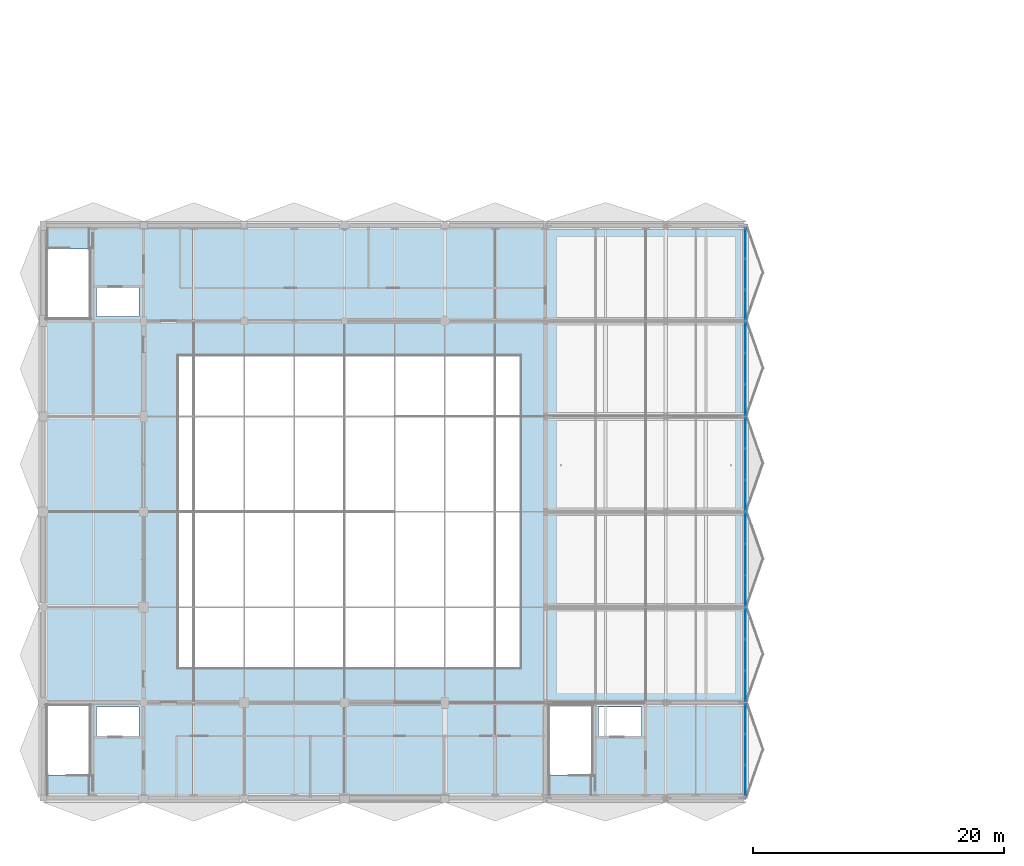
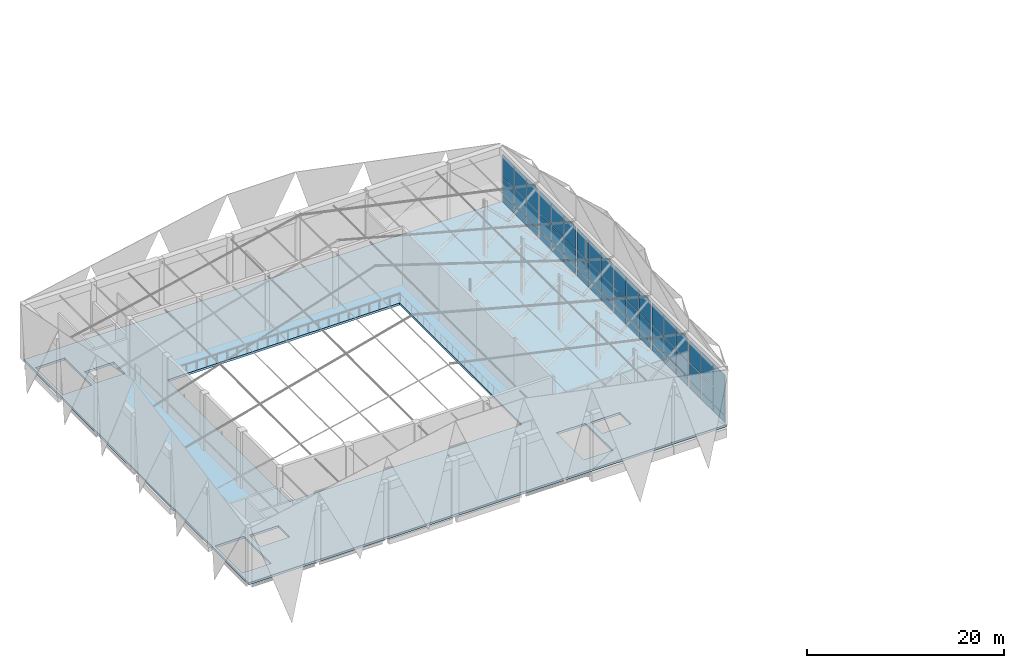
# One storey, part 24 of 46: 54 plates, 1 slab, 6 elements without a shape of their own.
"""IFC4 building model written with IfcOpenShell, lengths in metres."""

from ifc_helpers import new_model, si_unit, direction, frame, origin, origin_2d, place, context, subcontext, project, spatial, polyline, rectangle, outline, extrude, material, layer, layer_set, type_object, element, aggregate, save


model = new_model("IFC4")

# Units and contexts
model_context = context("Model", 3, precision=1e-05, world=origin(), true_north=direction((0.0, 1.0)))
body_context = subcontext(model_context, "Body", "Model", "MODEL_VIEW")
ifc_project = project(units=[si_unit("LENGTHUNIT", "METRE"), si_unit("AREAUNIT", "SQUARE_METRE"), si_unit("VOLUMEUNIT", "CUBIC_METRE"), si_unit("PLANEANGLEUNIT", "RADIAN"), si_unit("MASSUNIT", "GRAM", prefix="KILO")], contexts=[model_context])

# Site, building, storey
site_placement = place(None, origin())
site = spatial("IfcSite", under=ifc_project, at=site_placement, CompositionType="ELEMENT")
building_placement = place(site_placement, origin())
building = spatial("IfcBuilding", under=site, at=building_placement, Name="Khelvaren Railside Concert Hall", CompositionType="ELEMENT")
storey_placement = place(building_placement, frame((0.0, 0.0, 19.800048828125)))
storey = spatial("IfcBuildingStorey", under=building, at=storey_placement, Name="L04", CompositionType="ELEMENT", Elevation=19.800048828125)

# Curtain wall, plates
ifc_material_1 = material(Name="Double-glazed clear foyer glass", Category="glass")
curtain_wall_type_1 = type_object("IfcCurtainWallType", Name="CW68", PredefinedType="USERDEFINED", material=ifc_material_1)
curtain_wall_1_placement = place(storey_placement, origin())
curtain_wall_1 = element("IfcCurtainWall", 1, at=curtain_wall_1_placement, inside=storey, type_object=curtain_wall_type_1, Name="Unitised Curtain Wall CW-V1-L04-E-30", ObjectType="UNITISED CURTAIN WALL", PredefinedType="USERDEFINED")
ifc_layer_1 = layer(ifc_material_1, 0.0439453125)
ifc_layer_set_1 = layer_set([ifc_layer_1], Name="Double-glazed clear foyer glass")
plate_type_1 = type_object("IfcPlateType", Name="CWP33", PredefinedType="CURTAIN_PANEL", material=ifc_layer_set_1)
plate_1_placement = place(storey_placement, frame((55.93994140625, 36.68798828125, 0.06494140625), z_axis=(0.0, 0.0, 1.0), x_axis=(0.0, -1.0, 0.0)))
plate_1 = element("IfcPlate", 2, at=plate_1_placement, type_object=plate_type_1, Name="CW68 panel 1.1", PredefinedType="CURTAIN_PANEL", context=body_context, shape_type="SweptSolid", body=[
    extrude(rectangle(XDim=2.394287109375, YDim=0.0439453125, at=origin_2d()), origin(), (0.0, 0.0, 1.0), 0.8525390625),
])
plate_2_placement = place(storey_placement, frame((55.93994140625, 36.68798828125, 0.982421875), z_axis=(0.0, 0.0, 1.0), x_axis=(0.0, -1.0, 0.0)))
plate_2 = element("IfcPlate", 3, at=plate_2_placement, type_object=plate_type_1, Name="CW68 panel 1.2", PredefinedType="CURTAIN_PANEL", context=body_context, shape_type="SweptSolid", body=[
    extrude(rectangle(XDim=2.394287109375, YDim=0.0439453125, at=origin_2d()), origin(), (0.0, 0.0, 1.0), 2.131103515625),
])
plate_3_placement = place(storey_placement, frame((55.93994140625, 36.68798828125, 3.1787109375), z_axis=(0.0, 0.0, 1.0), x_axis=(0.0, -1.0, 0.0)))
plate_3 = element("IfcPlate", 4, at=plate_3_placement, type_object=plate_type_1, Name="CW68 panel 1.3", PredefinedType="CURTAIN_PANEL", context=body_context, shape_type="SweptSolid", body=[
    extrude(rectangle(XDim=2.394287109375, YDim=0.0439453125, at=origin_2d()), origin(), (0.0, 0.0, 1.0), 2.806396484375),
])
plate_4_placement = place(storey_placement, frame((55.93994140625, 34.199951171875, 0.06494140625), z_axis=(0.0, 0.0, 1.0), x_axis=(0.0, -1.0, 0.0)))
plate_4 = element("IfcPlate", 5, at=plate_4_placement, type_object=plate_type_1, Name="CW68 panel 2.1", PredefinedType="CURTAIN_PANEL", context=body_context, shape_type="SweptSolid", body=[
    extrude(rectangle(XDim=2.431640625, YDim=0.0439453125, at=origin_2d()), origin(), (0.0, 0.0, 1.0), 0.8525390625),
])
plate_5_placement = place(storey_placement, frame((55.93994140625, 34.199951171875, 0.982421875), z_axis=(0.0, 0.0, 1.0), x_axis=(0.0, -1.0, 0.0)))
plate_5 = element("IfcPlate", 6, at=plate_5_placement, type_object=plate_type_1, Name="CW68 panel 2.2", PredefinedType="CURTAIN_PANEL", context=body_context, shape_type="SweptSolid", body=[
    extrude(rectangle(XDim=2.431640625, YDim=0.0439453125, at=origin_2d()), origin(), (0.0, 0.0, 1.0), 2.131103515625),
])
plate_6_placement = place(storey_placement, frame((55.93994140625, 34.199951171875, 3.1787109375), z_axis=(0.0, 0.0, 1.0), x_axis=(0.0, -1.0, 0.0)))
plate_6 = element("IfcPlate", 7, at=plate_6_placement, type_object=plate_type_1, Name="CW68 panel 2.3", PredefinedType="CURTAIN_PANEL", context=body_context, shape_type="SweptSolid", body=[
    extrude(rectangle(XDim=2.431640625, YDim=0.0439453125, at=origin_2d()), origin(), (0.0, 0.0, 1.0), 2.806396484375),
])
plate_7_placement = place(storey_placement, frame((55.93994140625, 31.712158203125, 0.06494140625), z_axis=(0.0, 0.0, 1.0), x_axis=(0.0, -1.0, 0.0)))
plate_7 = element("IfcPlate", 8, at=plate_7_placement, type_object=plate_type_1, Name="CW68 panel 3.1", PredefinedType="CURTAIN_PANEL", context=body_context, shape_type="SweptSolid", body=[
    extrude(rectangle(XDim=2.394287109375, YDim=0.0439453125, at=origin_2d()), origin(), (0.0, 0.0, 1.0), 0.8525390625),
])
plate_8_placement = place(storey_placement, frame((55.93994140625, 31.712158203125, 0.982421875), z_axis=(0.0, 0.0, 1.0), x_axis=(0.0, -1.0, 0.0)))
plate_8 = element("IfcPlate", 9, at=plate_8_placement, type_object=plate_type_1, Name="CW68 panel 3.2", PredefinedType="CURTAIN_PANEL", context=body_context, shape_type="SweptSolid", body=[
    extrude(rectangle(XDim=2.394287109375, YDim=0.0439453125, at=origin_2d()), origin(), (0.0, 0.0, 1.0), 2.131103515625),
])
plate_9_placement = place(storey_placement, frame((55.93994140625, 31.712158203125, 3.1787109375), z_axis=(0.0, 0.0, 1.0), x_axis=(0.0, -1.0, 0.0)))
plate_9 = element("IfcPlate", 10, at=plate_9_placement, type_object=plate_type_1, Name="CW68 panel 3.3", PredefinedType="CURTAIN_PANEL", context=body_context, shape_type="SweptSolid", body=[
    extrude(rectangle(XDim=2.394287109375, YDim=0.0439453125, at=origin_2d()), origin(), (0.0, 0.0, 1.0), 2.806396484375),
])
aggregate(curtain_wall_1, [plate_1, plate_2, plate_3, plate_4, plate_5, plate_6, plate_7, plate_8, plate_9])

curtain_wall_type_2 = type_object("IfcCurtainWallType", Name="CW70", PredefinedType="USERDEFINED", material=ifc_material_1)
curtain_wall_2_placement = place(storey_placement, origin())
curtain_wall_2 = element("IfcCurtainWall", 11, at=curtain_wall_2_placement, inside=storey, type_object=curtain_wall_type_2, Name="Unitised Curtain Wall CW-V1-L04-E-38", ObjectType="UNITISED CURTAIN WALL", PredefinedType="USERDEFINED")
plate_10_placement = place(storey_placement, frame((55.93994140625, 44.18798828125, 0.06494140625), z_axis=(0.0, 0.0, 1.0), x_axis=(0.0, -1.0, 0.0)))
plate_10 = element("IfcPlate", 12, at=plate_10_placement, type_object=plate_type_1, Name="CW70 panel 1.1", PredefinedType="CURTAIN_PANEL", context=body_context, shape_type="SweptSolid", body=[
    extrude(rectangle(XDim=2.354248046875, YDim=0.0439453125, at=origin_2d()), origin(), (0.0, 0.0, 1.0), 0.8525390625),
])
plate_11_placement = place(storey_placement, frame((55.93994140625, 44.18798828125, 0.982421875), z_axis=(0.0, 0.0, 1.0), x_axis=(0.0, -1.0, 0.0)))
plate_11 = element("IfcPlate", 13, at=plate_11_placement, type_object=plate_type_1, Name="CW70 panel 1.2", PredefinedType="CURTAIN_PANEL", context=body_context, shape_type="SweptSolid", body=[
    extrude(rectangle(XDim=2.354248046875, YDim=0.0439453125, at=origin_2d()), origin(), (0.0, 0.0, 1.0), 2.131103515625),
])
plate_12_placement = place(storey_placement, frame((55.93994140625, 44.18798828125, 3.1787109375), z_axis=(0.0, 0.0, 1.0), x_axis=(0.0, -1.0, 0.0)))
plate_12 = element("IfcPlate", 14, at=plate_12_placement, type_object=plate_type_1, Name="CW70 panel 1.3", PredefinedType="CURTAIN_PANEL", context=body_context, shape_type="SweptSolid", body=[
    extrude(rectangle(XDim=2.354248046875, YDim=0.0439453125, at=origin_2d()), origin(), (0.0, 0.0, 1.0), 2.806396484375),
])
plate_13_placement = place(storey_placement, frame((55.93994140625, 41.739990234375, 0.06494140625), z_axis=(0.0, 0.0, 1.0), x_axis=(0.0, -1.0, 0.0)))
plate_13 = element("IfcPlate", 15, at=plate_13_placement, type_object=plate_type_1, Name="CW70 panel 2.1", PredefinedType="CURTAIN_PANEL", context=body_context, shape_type="SweptSolid", body=[
    extrude(rectangle(XDim=2.3916015625, YDim=0.0439453125, at=origin_2d()), origin(), (0.0, 0.0, 1.0), 0.8525390625),
])
plate_14_placement = place(storey_placement, frame((55.93994140625, 41.739990234375, 0.982421875), z_axis=(0.0, 0.0, 1.0), x_axis=(0.0, -1.0, 0.0)))
plate_14 = element("IfcPlate", 16, at=plate_14_placement, type_object=plate_type_1, Name="CW70 panel 2.2", PredefinedType="CURTAIN_PANEL", context=body_context, shape_type="SweptSolid", body=[
    extrude(rectangle(XDim=2.3916015625, YDim=0.0439453125, at=origin_2d()), origin(), (0.0, 0.0, 1.0), 2.131103515625),
])
plate_15_placement = place(storey_placement, frame((55.93994140625, 41.739990234375, 3.1787109375), z_axis=(0.0, 0.0, 1.0), x_axis=(0.0, -1.0, 0.0)))
plate_15 = element("IfcPlate", 17, at=plate_15_placement, type_object=plate_type_1, Name="CW70 panel 2.3", PredefinedType="CURTAIN_PANEL", context=body_context, shape_type="SweptSolid", body=[
    extrude(rectangle(XDim=2.3916015625, YDim=0.0439453125, at=origin_2d()), origin(), (0.0, 0.0, 1.0), 2.806396484375),
])
plate_16_placement = place(storey_placement, frame((55.93994140625, 39.2919921875, 0.06494140625), z_axis=(0.0, 0.0, 1.0), x_axis=(0.0, -1.0, 0.0)))
plate_16 = element("IfcPlate", 18, at=plate_16_placement, type_object=plate_type_1, Name="CW70 panel 3.1", PredefinedType="CURTAIN_PANEL", context=body_context, shape_type="SweptSolid", body=[
    extrude(rectangle(XDim=2.354248046875, YDim=0.0439453125, at=origin_2d()), origin(), (0.0, 0.0, 1.0), 0.8525390625),
])
plate_17_placement = place(storey_placement, frame((55.93994140625, 39.2919921875, 0.982421875), z_axis=(0.0, 0.0, 1.0), x_axis=(0.0, -1.0, 0.0)))
plate_17 = element("IfcPlate", 19, at=plate_17_placement, type_object=plate_type_1, Name="CW70 panel 3.2", PredefinedType="CURTAIN_PANEL", context=body_context, shape_type="SweptSolid", body=[
    extrude(rectangle(XDim=2.354248046875, YDim=0.0439453125, at=origin_2d()), origin(), (0.0, 0.0, 1.0), 2.131103515625),
])
plate_18_placement = place(storey_placement, frame((55.93994140625, 39.2919921875, 3.1787109375), z_axis=(0.0, 0.0, 1.0), x_axis=(0.0, -1.0, 0.0)))
plate_18 = element("IfcPlate", 20, at=plate_18_placement, type_object=plate_type_1, Name="CW70 panel 3.3", PredefinedType="CURTAIN_PANEL", context=body_context, shape_type="SweptSolid", body=[
    extrude(rectangle(XDim=2.354248046875, YDim=0.0439453125, at=origin_2d()), origin(), (0.0, 0.0, 1.0), 2.806396484375),
])
aggregate(curtain_wall_2, [plate_10, plate_11, plate_12, plate_13, plate_14, plate_15, plate_16, plate_17, plate_18])

ifc_material_2 = material(Name="Triple-glazed solar-control glass", Category="glass")
curtain_wall_type_3 = type_object("IfcCurtainWallType", Name="CW80", PredefinedType="USERDEFINED", material=ifc_material_2)
curtain_wall_3_placement = place(storey_placement, origin())
curtain_wall_3 = element("IfcCurtainWall", 21, at=curtain_wall_3_placement, inside=storey, type_object=curtain_wall_type_3, Name="Unitised Curtain Wall CW-V1-L04-E-0", ObjectType="UNITISED CURTAIN WALL", PredefinedType="USERDEFINED")
ifc_layer_2 = layer(ifc_material_2, 0.035888671875)
ifc_layer_set_2 = layer_set([ifc_layer_2], Name="Triple-glazed solar-control glass")
plate_type_2 = type_object("IfcPlateType", Name="CWP53", PredefinedType="CURTAIN_PANEL", material=ifc_layer_set_2)
plate_19_placement = place(storey_placement, frame((55.93994140625, 6.307861328125, 0.074951171875), z_axis=(0.0, 0.0, 1.0), x_axis=(0.0, -1.0, 0.0)))
plate_19 = element("IfcPlate", 22, at=plate_19_placement, type_object=plate_type_2, Name="CW80 panel 1.1", PredefinedType="CURTAIN_PANEL", context=body_context, shape_type="SweptSolid", body=[
    extrude(rectangle(XDim=2.354248046875, YDim=0.035888671875, at=origin_2d()), origin(), (0.0, 0.0, 1.0), 0.83740234375),
])
plate_20_placement = place(storey_placement, frame((55.93994140625, 6.307861328125, 0.9873046875), z_axis=(0.0, 0.0, 1.0), x_axis=(0.0, -1.0, 0.0)))
plate_20 = element("IfcPlate", 23, at=plate_20_placement, type_object=plate_type_2, Name="CW80 panel 1.2", PredefinedType="CURTAIN_PANEL", context=body_context, shape_type="SweptSolid", body=[
    extrude(rectangle(XDim=2.354248046875, YDim=0.035888671875, at=origin_2d()), origin(), (0.0, 0.0, 1.0), 2.12109375),
])
plate_21_placement = place(storey_placement, frame((55.93994140625, 6.307861328125, 3.183349609375), z_axis=(0.0, 0.0, 1.0), x_axis=(0.0, -1.0, 0.0)))
plate_21 = element("IfcPlate", 24, at=plate_21_placement, type_object=plate_type_2, Name="CW80 panel 1.3", PredefinedType="CURTAIN_PANEL", context=body_context, shape_type="SweptSolid", body=[
    extrude(rectangle(XDim=2.354248046875, YDim=0.035888671875, at=origin_2d()), origin(), (0.0, 0.0, 1.0), 2.79150390625),
])
plate_22_placement = place(storey_placement, frame((55.93994140625, 3.860107421875, 0.074951171875), z_axis=(0.0, 0.0, 1.0), x_axis=(0.0, -1.0, 0.0)))
plate_22 = element("IfcPlate", 25, at=plate_22_placement, type_object=plate_type_2, Name="CW80 panel 2.1", PredefinedType="CURTAIN_PANEL", context=body_context, shape_type="SweptSolid", body=[
    extrude(rectangle(XDim=2.3916015625, YDim=0.035888671875, at=origin_2d()), origin(), (0.0, 0.0, 1.0), 0.83740234375),
])
plate_23_placement = place(storey_placement, frame((55.93994140625, 3.860107421875, 0.9873046875), z_axis=(0.0, 0.0, 1.0), x_axis=(0.0, -1.0, 0.0)))
plate_23 = element("IfcPlate", 26, at=plate_23_placement, type_object=plate_type_2, Name="CW80 panel 2.2", PredefinedType="CURTAIN_PANEL", context=body_context, shape_type="SweptSolid", body=[
    extrude(rectangle(XDim=2.3916015625, YDim=0.035888671875, at=origin_2d()), origin(), (0.0, 0.0, 1.0), 2.12109375),
])
plate_24_placement = place(storey_placement, frame((55.93994140625, 3.860107421875, 3.183349609375), z_axis=(0.0, 0.0, 1.0), x_axis=(0.0, -1.0, 0.0)))
plate_24 = element("IfcPlate", 27, at=plate_24_placement, type_object=plate_type_2, Name="CW80 panel 2.3", PredefinedType="CURTAIN_PANEL", context=body_context, shape_type="SweptSolid", body=[
    extrude(rectangle(XDim=2.3916015625, YDim=0.035888671875, at=origin_2d()), origin(), (0.0, 0.0, 1.0), 2.79150390625),
])
plate_25_placement = place(storey_placement, frame((55.93994140625, 1.412109375, 0.074951171875), z_axis=(0.0, 0.0, 1.0), x_axis=(0.0, -1.0, 0.0)))
plate_25 = element("IfcPlate", 28, at=plate_25_placement, type_object=plate_type_2, Name="CW80 panel 3.1", PredefinedType="CURTAIN_PANEL", context=body_context, shape_type="SweptSolid", body=[
    extrude(rectangle(XDim=2.354248046875, YDim=0.035888671875, at=origin_2d()), origin(), (0.0, 0.0, 1.0), 0.83740234375),
])
plate_26_placement = place(storey_placement, frame((55.93994140625, 1.412109375, 0.9873046875), z_axis=(0.0, 0.0, 1.0), x_axis=(0.0, -1.0, 0.0)))
plate_26 = element("IfcPlate", 29, at=plate_26_placement, type_object=plate_type_2, Name="CW80 panel 3.2", PredefinedType="CURTAIN_PANEL", context=body_context, shape_type="SweptSolid", body=[
    extrude(rectangle(XDim=2.354248046875, YDim=0.035888671875, at=origin_2d()), origin(), (0.0, 0.0, 1.0), 2.12109375),
])
plate_27_placement = place(storey_placement, frame((55.93994140625, 1.412109375, 3.183349609375), z_axis=(0.0, 0.0, 1.0), x_axis=(0.0, -1.0, 0.0)))
plate_27 = element("IfcPlate", 30, at=plate_27_placement, type_object=plate_type_2, Name="CW80 panel 3.3", PredefinedType="CURTAIN_PANEL", context=body_context, shape_type="SweptSolid", body=[
    extrude(rectangle(XDim=2.354248046875, YDim=0.035888671875, at=origin_2d()), origin(), (0.0, 0.0, 1.0), 2.79150390625),
])
aggregate(curtain_wall_3, [plate_19, plate_20, plate_21, plate_22, plate_23, plate_24, plate_25, plate_26, plate_27])

curtain_wall_type_4 = type_object("IfcCurtainWallType", Name="CW41", PredefinedType="USERDEFINED", material=ifc_material_2)
curtain_wall_4_placement = place(storey_placement, origin())
curtain_wall_4 = element("IfcCurtainWall", 31, at=curtain_wall_4_placement, inside=storey, type_object=curtain_wall_type_4, Name="Unitised Curtain Wall CW-V1-L04-E-8", ObjectType="UNITISED CURTAIN WALL", PredefinedType="USERDEFINED")
plate_28_placement = place(storey_placement, frame((55.93994140625, 13.887939453125, 0.074951171875), z_axis=(0.0, 0.0, 1.0), x_axis=(0.0, -1.0, 0.0)))
plate_28 = element("IfcPlate", 32, at=plate_28_placement, type_object=plate_type_2, Name="CW41 panel 1.1", PredefinedType="CURTAIN_PANEL", context=body_context, shape_type="SweptSolid", body=[
    extrude(rectangle(XDim=2.394287109375, YDim=0.035888671875, at=origin_2d()), origin(), (0.0, 0.0, 1.0), 0.83740234375),
])
plate_29_placement = place(storey_placement, frame((55.93994140625, 13.887939453125, 0.9873046875), z_axis=(0.0, 0.0, 1.0), x_axis=(0.0, -1.0, 0.0)))
plate_29 = element("IfcPlate", 33, at=plate_29_placement, type_object=plate_type_2, Name="CW41 panel 1.2", PredefinedType="CURTAIN_PANEL", context=body_context, shape_type="SweptSolid", body=[
    extrude(rectangle(XDim=2.394287109375, YDim=0.035888671875, at=origin_2d()), origin(), (0.0, 0.0, 1.0), 2.12109375),
])
plate_30_placement = place(storey_placement, frame((55.93994140625, 13.887939453125, 3.183349609375), z_axis=(0.0, 0.0, 1.0), x_axis=(0.0, -1.0, 0.0)))
plate_30 = element("IfcPlate", 34, at=plate_30_placement, type_object=plate_type_2, Name="CW41 panel 1.3", PredefinedType="CURTAIN_PANEL", context=body_context, shape_type="SweptSolid", body=[
    extrude(rectangle(XDim=2.394287109375, YDim=0.035888671875, at=origin_2d()), origin(), (0.0, 0.0, 1.0), 2.79150390625),
])
plate_31_placement = place(storey_placement, frame((55.93994140625, 11.39990234375, 0.074951171875), z_axis=(0.0, 0.0, 1.0), x_axis=(0.0, -1.0, 0.0)))
plate_31 = element("IfcPlate", 35, at=plate_31_placement, type_object=plate_type_2, Name="CW41 panel 2.1", PredefinedType="CURTAIN_PANEL", context=body_context, shape_type="SweptSolid", body=[
    extrude(rectangle(XDim=2.431640625, YDim=0.035888671875, at=origin_2d()), origin(), (0.0, 0.0, 1.0), 0.83740234375),
])
plate_32_placement = place(storey_placement, frame((55.93994140625, 11.39990234375, 0.9873046875), z_axis=(0.0, 0.0, 1.0), x_axis=(0.0, -1.0, 0.0)))
plate_32 = element("IfcPlate", 36, at=plate_32_placement, type_object=plate_type_2, Name="CW41 panel 2.2", PredefinedType="CURTAIN_PANEL", context=body_context, shape_type="SweptSolid", body=[
    extrude(rectangle(XDim=2.431640625, YDim=0.035888671875, at=origin_2d()), origin(), (0.0, 0.0, 1.0), 2.12109375),
])
plate_33_placement = place(storey_placement, frame((55.93994140625, 11.39990234375, 3.183349609375), z_axis=(0.0, 0.0, 1.0), x_axis=(0.0, -1.0, 0.0)))
plate_33 = element("IfcPlate", 37, at=plate_33_placement, type_object=plate_type_2, Name="CW41 panel 2.3", PredefinedType="CURTAIN_PANEL", context=body_context, shape_type="SweptSolid", body=[
    extrude(rectangle(XDim=2.431640625, YDim=0.035888671875, at=origin_2d()), origin(), (0.0, 0.0, 1.0), 2.79150390625),
])
plate_34_placement = place(storey_placement, frame((55.93994140625, 8.912109375, 0.074951171875), z_axis=(0.0, 0.0, 1.0), x_axis=(0.0, -1.0, 0.0)))
plate_34 = element("IfcPlate", 38, at=plate_34_placement, type_object=plate_type_2, Name="CW41 panel 3.1", PredefinedType="CURTAIN_PANEL", context=body_context, shape_type="SweptSolid", body=[
    extrude(rectangle(XDim=2.394287109375, YDim=0.035888671875, at=origin_2d()), origin(), (0.0, 0.0, 1.0), 0.83740234375),
])
plate_35_placement = place(storey_placement, frame((55.93994140625, 8.912109375, 0.9873046875), z_axis=(0.0, 0.0, 1.0), x_axis=(0.0, -1.0, 0.0)))
plate_35 = element("IfcPlate", 39, at=plate_35_placement, type_object=plate_type_2, Name="CW41 panel 3.2", PredefinedType="CURTAIN_PANEL", context=body_context, shape_type="SweptSolid", body=[
    extrude(rectangle(XDim=2.394287109375, YDim=0.035888671875, at=origin_2d()), origin(), (0.0, 0.0, 1.0), 2.12109375),
])
plate_36_placement = place(storey_placement, frame((55.93994140625, 8.912109375, 3.183349609375), z_axis=(0.0, 0.0, 1.0), x_axis=(0.0, -1.0, 0.0)))
plate_36 = element("IfcPlate", 40, at=plate_36_placement, type_object=plate_type_2, Name="CW41 panel 3.3", PredefinedType="CURTAIN_PANEL", context=body_context, shape_type="SweptSolid", body=[
    extrude(rectangle(XDim=2.394287109375, YDim=0.035888671875, at=origin_2d()), origin(), (0.0, 0.0, 1.0), 2.79150390625),
])
aggregate(curtain_wall_4, [plate_28, plate_29, plate_30, plate_31, plate_32, plate_33, plate_34, plate_35, plate_36])

ifc_material_3 = material(Name="Double-glazed low-E dark acoustic glass", Category="glass")
curtain_wall_type_5 = type_object("IfcCurtainWallType", Name="CW94", PredefinedType="USERDEFINED", material=ifc_material_3)
curtain_wall_5_placement = place(storey_placement, origin())
curtain_wall_5 = element("IfcCurtainWall", 41, at=curtain_wall_5_placement, inside=storey, type_object=curtain_wall_type_5, Name="Unitised Curtain Wall CW-V1-L04-E-15", ObjectType="UNITISED CURTAIN WALL", PredefinedType="USERDEFINED")
ifc_layer_3 = layer(ifc_material_3, 0.031982421875)
ifc_layer_set_3 = layer_set([ifc_layer_3], Name="Double-glazed low-E dark acoustic glass")
plate_type_3 = type_object("IfcPlateType", Name="CWP84", PredefinedType="CURTAIN_PANEL", material=ifc_layer_set_3)
plate_37_placement = place(storey_placement, frame((55.93994140625, 21.490478515625, 0.06494140625), z_axis=(0.0, 0.0, 1.0), x_axis=(0.0, -1.0, 0.0)))
plate_37 = element("IfcPlate", 42, at=plate_37_placement, type_object=plate_type_3, Name="CW94 panel 1.1", PredefinedType="CURTAIN_PANEL", context=body_context, shape_type="SweptSolid", body=[
    extrude(rectangle(XDim=2.4091796875, YDim=0.031982421875, at=origin_2d()), origin(), (0.0, 0.0, 1.0), 0.8525390625),
])
plate_38_placement = place(storey_placement, frame((55.93994140625, 21.490478515625, 0.982421875), z_axis=(0.0, 0.0, 1.0), x_axis=(0.0, -1.0, 0.0)))
plate_38 = element("IfcPlate", 43, at=plate_38_placement, type_object=plate_type_3, Name="CW94 panel 1.2", PredefinedType="CURTAIN_PANEL", context=body_context, shape_type="SweptSolid", body=[
    extrude(rectangle(XDim=2.4091796875, YDim=0.031982421875, at=origin_2d()), origin(), (0.0, 0.0, 1.0), 2.131103515625),
])
plate_39_placement = place(storey_placement, frame((55.93994140625, 21.490478515625, 3.1787109375), z_axis=(0.0, 0.0, 1.0), x_axis=(0.0, -1.0, 0.0)))
plate_39 = element("IfcPlate", 44, at=plate_39_placement, type_object=plate_type_3, Name="CW94 panel 1.3", PredefinedType="CURTAIN_PANEL", context=body_context, shape_type="SweptSolid", body=[
    extrude(rectangle(XDim=2.4091796875, YDim=0.031982421875, at=origin_2d()), origin(), (0.0, 0.0, 1.0), 2.806396484375),
])
plate_40_placement = place(storey_placement, frame((55.93994140625, 19.0, 0.06494140625), z_axis=(0.0, 0.0, 1.0), x_axis=(0.0, -1.0, 0.0)))
plate_40 = element("IfcPlate", 45, at=plate_40_placement, type_object=plate_type_3, Name="CW94 panel 2.1", PredefinedType="CURTAIN_PANEL", context=body_context, shape_type="SweptSolid", body=[
    extrude(rectangle(XDim=2.441650390625, YDim=0.031982421875, at=origin_2d()), origin(), (0.0, 0.0, 1.0), 0.8525390625),
])
plate_41_placement = place(storey_placement, frame((55.93994140625, 19.0, 0.982421875), z_axis=(0.0, 0.0, 1.0), x_axis=(0.0, -1.0, 0.0)))
plate_41 = element("IfcPlate", 46, at=plate_41_placement, type_object=plate_type_3, Name="CW94 panel 2.2", PredefinedType="CURTAIN_PANEL", context=body_context, shape_type="SweptSolid", body=[
    extrude(rectangle(XDim=2.441650390625, YDim=0.031982421875, at=origin_2d()), origin(), (0.0, 0.0, 1.0), 2.131103515625),
])
plate_42_placement = place(storey_placement, frame((55.93994140625, 19.0, 3.1787109375), z_axis=(0.0, 0.0, 1.0), x_axis=(0.0, -1.0, 0.0)))
plate_42 = element("IfcPlate", 47, at=plate_42_placement, type_object=plate_type_3, Name="CW94 panel 2.3", PredefinedType="CURTAIN_PANEL", context=body_context, shape_type="SweptSolid", body=[
    extrude(rectangle(XDim=2.441650390625, YDim=0.031982421875, at=origin_2d()), origin(), (0.0, 0.0, 1.0), 2.806396484375),
])
plate_43_placement = place(storey_placement, frame((55.93994140625, 16.509521484375, 0.06494140625), z_axis=(0.0, 0.0, 1.0), x_axis=(0.0, -1.0, 0.0)))
plate_43 = element("IfcPlate", 48, at=plate_43_placement, type_object=plate_type_3, Name="CW94 panel 3.1", PredefinedType="CURTAIN_PANEL", context=body_context, shape_type="SweptSolid", body=[
    extrude(rectangle(XDim=2.4091796875, YDim=0.031982421875, at=origin_2d()), origin(), (0.0, 0.0, 1.0), 0.8525390625),
])
plate_44_placement = place(storey_placement, frame((55.93994140625, 16.509521484375, 0.982421875), z_axis=(0.0, 0.0, 1.0), x_axis=(0.0, -1.0, 0.0)))
plate_44 = element("IfcPlate", 49, at=plate_44_placement, type_object=plate_type_3, Name="CW94 panel 3.2", PredefinedType="CURTAIN_PANEL", context=body_context, shape_type="SweptSolid", body=[
    extrude(rectangle(XDim=2.4091796875, YDim=0.031982421875, at=origin_2d()), origin(), (0.0, 0.0, 1.0), 2.131103515625),
])
plate_45_placement = place(storey_placement, frame((55.93994140625, 16.509521484375, 3.1787109375), z_axis=(0.0, 0.0, 1.0), x_axis=(0.0, -1.0, 0.0)))
plate_45 = element("IfcPlate", 50, at=plate_45_placement, type_object=plate_type_3, Name="CW94 panel 3.3", PredefinedType="CURTAIN_PANEL", context=body_context, shape_type="SweptSolid", body=[
    extrude(rectangle(XDim=2.4091796875, YDim=0.031982421875, at=origin_2d()), origin(), (0.0, 0.0, 1.0), 2.806396484375),
])
aggregate(curtain_wall_5, [plate_37, plate_38, plate_39, plate_40, plate_41, plate_42, plate_43, plate_44, plate_45])

curtain_wall_type_6 = type_object("IfcCurtainWallType", Name="CW65", PredefinedType="USERDEFINED", material=ifc_material_3)
curtain_wall_6_placement = place(storey_placement, origin())
curtain_wall_6 = element("IfcCurtainWall", 51, at=curtain_wall_6_placement, inside=storey, type_object=curtain_wall_type_6, Name="Unitised Curtain Wall CW-V1-L04-E-23", ObjectType="UNITISED CURTAIN WALL", PredefinedType="USERDEFINED")
plate_46_placement = place(storey_placement, frame((55.93994140625, 29.09033203125, 0.06494140625), z_axis=(0.0, 0.0, 1.0), x_axis=(0.0, -1.0, 0.0)))
plate_46 = element("IfcPlate", 52, at=plate_46_placement, type_object=plate_type_3, Name="CW65 panel 1.1", PredefinedType="CURTAIN_PANEL", context=body_context, shape_type="SweptSolid", body=[
    extrude(rectangle(XDim=2.4091796875, YDim=0.031982421875, at=origin_2d()), origin(), (0.0, 0.0, 1.0), 0.8525390625),
])
plate_47_placement = place(storey_placement, frame((55.93994140625, 29.09033203125, 0.982421875), z_axis=(0.0, 0.0, 1.0), x_axis=(0.0, -1.0, 0.0)))
plate_47 = element("IfcPlate", 53, at=plate_47_placement, type_object=plate_type_3, Name="CW65 panel 1.2", PredefinedType="CURTAIN_PANEL", context=body_context, shape_type="SweptSolid", body=[
    extrude(rectangle(XDim=2.4091796875, YDim=0.031982421875, at=origin_2d()), origin(), (0.0, 0.0, 1.0), 2.131103515625),
])
plate_48_placement = place(storey_placement, frame((55.93994140625, 29.09033203125, 3.1787109375), z_axis=(0.0, 0.0, 1.0), x_axis=(0.0, -1.0, 0.0)))
plate_48 = element("IfcPlate", 54, at=plate_48_placement, type_object=plate_type_3, Name="CW65 panel 1.3", PredefinedType="CURTAIN_PANEL", context=body_context, shape_type="SweptSolid", body=[
    extrude(rectangle(XDim=2.4091796875, YDim=0.031982421875, at=origin_2d()), origin(), (0.0, 0.0, 1.0), 2.806396484375),
])
plate_49_placement = place(storey_placement, frame((55.93994140625, 26.60009765625, 0.06494140625), z_axis=(0.0, 0.0, 1.0), x_axis=(0.0, -1.0, 0.0)))
plate_49 = element("IfcPlate", 55, at=plate_49_placement, type_object=plate_type_3, Name="CW65 panel 2.1", PredefinedType="CURTAIN_PANEL", context=body_context, shape_type="SweptSolid", body=[
    extrude(rectangle(XDim=2.441650390625, YDim=0.031982421875, at=origin_2d()), origin(), (0.0, 0.0, 1.0), 0.8525390625),
])
plate_50_placement = place(storey_placement, frame((55.93994140625, 26.60009765625, 0.982421875), z_axis=(0.0, 0.0, 1.0), x_axis=(0.0, -1.0, 0.0)))
plate_50 = element("IfcPlate", 56, at=plate_50_placement, type_object=plate_type_3, Name="CW65 panel 2.2", PredefinedType="CURTAIN_PANEL", context=body_context, shape_type="SweptSolid", body=[
    extrude(rectangle(XDim=2.441650390625, YDim=0.031982421875, at=origin_2d()), origin(), (0.0, 0.0, 1.0), 2.131103515625),
])
plate_51_placement = place(storey_placement, frame((55.93994140625, 26.60009765625, 3.1787109375), z_axis=(0.0, 0.0, 1.0), x_axis=(0.0, -1.0, 0.0)))
plate_51 = element("IfcPlate", 57, at=plate_51_placement, type_object=plate_type_3, Name="CW65 panel 2.3", PredefinedType="CURTAIN_PANEL", context=body_context, shape_type="SweptSolid", body=[
    extrude(rectangle(XDim=2.441650390625, YDim=0.031982421875, at=origin_2d()), origin(), (0.0, 0.0, 1.0), 2.806396484375),
])
plate_52_placement = place(storey_placement, frame((55.93994140625, 24.109619140625, 0.06494140625), z_axis=(0.0, 0.0, 1.0), x_axis=(0.0, -1.0, 0.0)))
plate_52 = element("IfcPlate", 58, at=plate_52_placement, type_object=plate_type_3, Name="CW65 panel 3.1", PredefinedType="CURTAIN_PANEL", context=body_context, shape_type="SweptSolid", body=[
    extrude(rectangle(XDim=2.4091796875, YDim=0.031982421875, at=origin_2d()), origin(), (0.0, 0.0, 1.0), 0.8525390625),
])
plate_53_placement = place(storey_placement, frame((55.93994140625, 24.109619140625, 0.982421875), z_axis=(0.0, 0.0, 1.0), x_axis=(0.0, -1.0, 0.0)))
plate_53 = element("IfcPlate", 59, at=plate_53_placement, type_object=plate_type_3, Name="CW65 panel 3.2", PredefinedType="CURTAIN_PANEL", context=body_context, shape_type="SweptSolid", body=[
    extrude(rectangle(XDim=2.4091796875, YDim=0.031982421875, at=origin_2d()), origin(), (0.0, 0.0, 1.0), 2.131103515625),
])
plate_54_placement = place(storey_placement, frame((55.93994140625, 24.109619140625, 3.1787109375), z_axis=(0.0, 0.0, 1.0), x_axis=(0.0, -1.0, 0.0)))
plate_54 = element("IfcPlate", 60, at=plate_54_placement, type_object=plate_type_3, Name="CW65 panel 3.3", PredefinedType="CURTAIN_PANEL", context=body_context, shape_type="SweptSolid", body=[
    extrude(rectangle(XDim=2.4091796875, YDim=0.031982421875, at=origin_2d()), origin(), (0.0, 0.0, 1.0), 2.806396484375),
])
aggregate(curtain_wall_6, [plate_46, plate_47, plate_48, plate_49, plate_50, plate_51, plate_52, plate_53, plate_54])

# Slab
ifc_material_4 = material(Name="Concrete C40/50", Category="concrete")
ifc_layer_4 = layer(ifc_material_4, 0.27001953125)
ifc_layer_set_4 = layer_set([ifc_layer_4], Name="Concrete C40/50")
slab_type = type_object("IfcSlabType", Name="FS19", PredefinedType="FLOOR", material=ifc_layer_set_4)
slab_placement = place(storey_placement, frame((0.0, 0.0, -0.27001953125)))
element("IfcSlab", 61, at=slab_placement, inside=storey, type_object=slab_type, Name="V1 L04 Structural Floor Slab", PredefinedType="FLOOR", context=body_context, shape_type="SweptSolid", body=[
    extrude(outline(polyline([(0.0, 0.0), (56.0, 0.0), (56.0, 45.60009765625), (0.0, 45.60009765625), (0.0, 0.0)]), holes=[polyline([(3.699951171875, 1.840087890625), (3.699951171875, 7.360107421875), (0.300048828125, 7.360107421875), (0.300048828125, 1.840087890625), (3.699951171875, 1.840087890625)]), polyline([(4.25, 4.949951171875), (7.64990234375, 4.949951171875), (7.64990234375, 7.25), (4.25, 7.25), (4.25, 4.949951171875)]), polyline([(43.699951171875, 1.840087890625), (43.699951171875, 7.360107421875), (40.300048828125, 7.360107421875), (40.300048828125, 1.840087890625), (43.699951171875, 1.840087890625)]), polyline([(44.25, 4.949951171875), (47.64990234375, 4.949951171875), (47.64990234375, 7.25), (44.25, 7.25), (44.25, 4.949951171875)]), polyline([(0.300048828125, 43.760009765625), (0.300048828125, 38.239990234375), (3.699951171875, 38.239990234375), (3.699951171875, 43.760009765625), (0.300048828125, 43.760009765625)]), polyline([(4.25, 38.35009765625), (7.64990234375, 38.35009765625), (7.64990234375, 40.64990234375), (4.25, 40.64990234375), (4.25, 38.35009765625)]), polyline([(10.800048828125, 10.39990234375), (38.0, 10.39990234375), (38.0, 35.199951171875), (10.800048828125, 35.199951171875), (10.800048828125, 10.39990234375)])]), origin(), (0.0, 0.0, 1.0), 0.27001953125),
])

save(model, "model.ifc")
